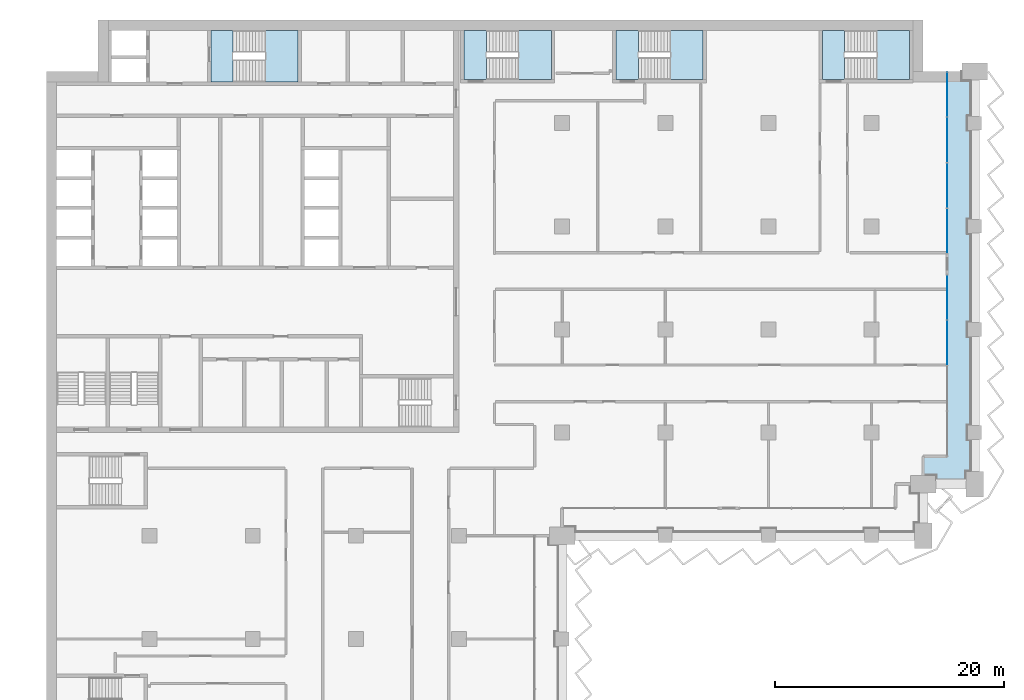
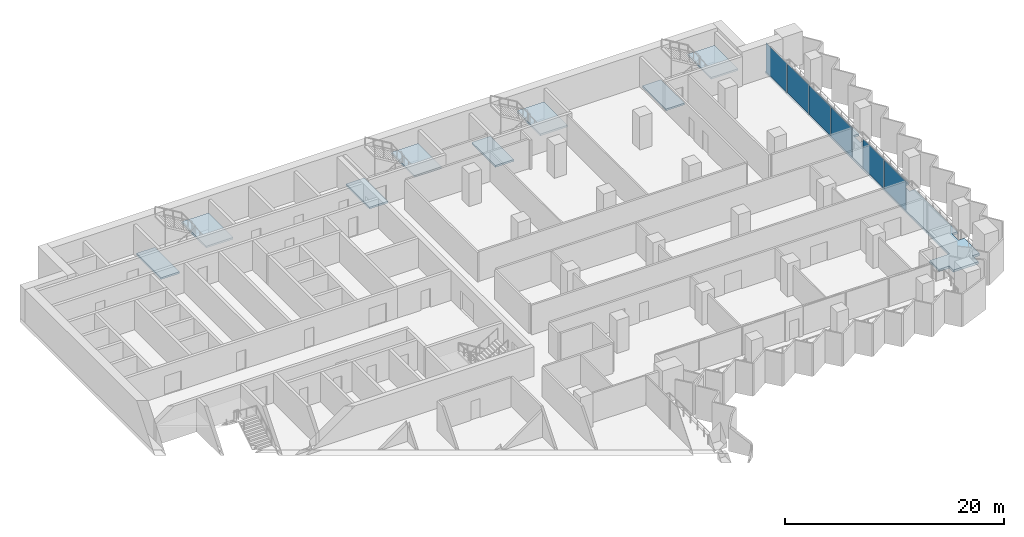
# One storey, part 8 of 23: 9 slabs, 6 plates, 6 elements without a shape of their own.
"""IFC4 building model written with IfcOpenShell, lengths in metres."""

import ifcopenshell
import ifcopenshell.guid

model = None  # the IFC model being written
_history = None  # IfcOwnerHistory: only IFC2X3 demands one
_inside = {}  # id of a spatial element -> (the spatial element, [elements in it])
_under = {}  # id of a project, library or spatial element -> (it, [spatial elements below it])
_declared = {}  # id of a project -> (the project, [libraries it declares])
_typed = {}  # id of a type object -> (the type object, [elements of that type])
_made_of = {}  # id of a material, layer set ... -> (it, [elements and type objects made of it])


def new_model(schema):
    """Start an empty IFC model of exactly this schema.

    Asked for "IFC4X3", IfcOpenShell would pick the latest addendum, in which some entities
    have other attributes; the version numbers below select the first issue.
    IFC2X3 requires an IfcOwnerHistory on every rooted entity: one is made here for all.
    """
    global model, _history
    if schema == "IFC4X3":
        model = ifcopenshell.file(schema_version=(4, 3, 0, 0))
    else:
        model = ifcopenshell.file(schema=schema)
    _inside.clear()
    _under.clear()
    _declared.clear()
    _typed.clear()
    _made_of.clear()
    _history = None
    if model.schema == "IFC2X3":
        org = make("IfcOrganization", Name="unknown")
        user = make(
            "IfcPersonAndOrganization",
            ThePerson=make("IfcPerson", FamilyName="unknown"),
            TheOrganization=org,
        )
        app = make(
            "IfcApplication",
            ApplicationDeveloper=org,
            Version="unknown",
            ApplicationFullName="unknown",
            ApplicationIdentifier="unknown",
        )
        _history = make(
            "IfcOwnerHistory",
            OwningUser=user,
            OwningApplication=app,
            ChangeAction="ADDED",
            CreationDate=0,
        )
    return model


def make(cls, **values):
    """One entity of the class cls with the attributes given. An attribute that is None is left unset."""
    return model.create_entity(
        cls, **{name: value for name, value in values.items() if value is not None}
    )


def rooted(cls, **values):
    """An entity with a GlobalId (a new one), such as an element, a storey or a relation."""
    return make(cls, GlobalId=ifcopenshell.guid.new(), OwnerHistory=_history, **values)


def si_unit(unit_type, name, prefix=None):
    """IfcSIUnit, for example si_unit("LENGTHUNIT", "METRE", prefix="MILLI")."""
    return make("IfcSIUnit", UnitType=unit_type, Prefix=prefix, Name=name)


def assignment(units):
    """IfcUnitAssignment: the units of a project."""
    return None if units is None else make("IfcUnitAssignment", Units=units)


def point(xyz):
    """IfcCartesianPoint."""
    return None if xyz is None else make("IfcCartesianPoint", Coordinates=xyz)


def direction(xyz):
    """IfcDirection."""
    return None if xyz is None else make("IfcDirection", DirectionRatios=xyz)


def frame(location, z_axis=None, x_axis=None):
    """IfcAxis2Placement3D, a coordinate frame: its origin and axes. An axis left out is left unset."""
    return make(
        "IfcAxis2Placement3D",
        Location=point(location),
        Axis=direction(z_axis),
        RefDirection=direction(x_axis),
    )


def frame_2d(location, x_axis=None):
    """IfcAxis2Placement2D, a coordinate frame in the plane: its origin and x axis."""
    return make(
        "IfcAxis2Placement2D", Location=point(location), RefDirection=direction(x_axis)
    )


def origin():
    """The frame at (0, 0, 0) with its axes left unset."""
    return frame((0.0, 0.0, 0.0))


def origin_2d():
    """The frame at (0, 0) in the plane with its x axis left unset."""
    return frame_2d((0.0, 0.0))


def place(relative_to, where):
    """IfcLocalPlacement: puts the frame where relative to a parent placement (None: the world)."""
    return make(
        "IfcLocalPlacement", PlacementRelTo=relative_to, RelativePlacement=where
    )


def context(
    kind, dimensions, precision=None, world=None, true_north=None, identifier=None
):
    """IfcGeometricRepresentationContext, for example the 3D "Model" context."""
    return make(
        "IfcGeometricRepresentationContext",
        ContextIdentifier=identifier,
        ContextType=kind,
        CoordinateSpaceDimension=dimensions,
        Precision=precision,
        WorldCoordinateSystem=world,
        TrueNorth=true_north,
    )


def subcontext(parent, identifier, kind, view, scale=None):
    """IfcGeometricRepresentationSubContext, for example "Body" below "Model"."""
    return make(
        "IfcGeometricRepresentationSubContext",
        ContextIdentifier=identifier,
        ContextType=kind,
        ParentContext=parent,
        TargetScale=scale,
        TargetView=view,
    )


def project(units=None, contexts=None):
    """IfcProject with its units and contexts."""
    return rooted(
        "IfcProject",
        Name="project",
        RepresentationContexts=contexts,
        UnitsInContext=assignment(units),
    )


def spatial(cls, under=None, at=None, **own):
    """A site, building, storey or space (cls), placed at a placement, below another one or the project."""
    s = rooted(cls, ObjectPlacement=at, **own)
    if under is not None:
        _under.setdefault(under.id(), (under, []))[1].append(s)
    return s


def polyline(points):
    """IfcPolyline through the points."""
    return make("IfcPolyline", Points=[point(p) for p in points])


def profile(cls, at=None, kind="AREA", **sizes):
    """A parametric profile (cls). Its sizes go by their IFC names, for example OverallWidth=200.0."""
    return make(cls, ProfileType=kind, Position=at, **sizes)


def rectangle(**sizes):
    """IfcRectangleProfileDef."""
    return profile("IfcRectangleProfileDef", **sizes)


def outline(outer, holes=None, kind="AREA"):
    """IfcArbitraryClosedProfileDef: a profile drawn as a closed curve; with holes, ...WithVoids."""
    if holes is None:
        return make("IfcArbitraryClosedProfileDef", ProfileType=kind, OuterCurve=outer)
    return make(
        "IfcArbitraryProfileDefWithVoids",
        ProfileType=kind,
        OuterCurve=outer,
        InnerCurves=holes,
    )


def extrude(swept, where, along, depth):
    """IfcExtrudedAreaSolid: the profile swept, set in the frame where, extruded along a direction by depth."""
    return make(
        "IfcExtrudedAreaSolid",
        SweptArea=swept,
        Position=where,
        ExtrudedDirection=direction(along),
        Depth=depth,
    )


def shape(context_of_items, identifier, shape_type, items):
    """IfcShapeRepresentation: the items that make up one representation, for example the "Body"."""
    return make(
        "IfcShapeRepresentation",
        ContextOfItems=context_of_items,
        RepresentationIdentifier=identifier,
        RepresentationType=shape_type,
        Items=items,
    )


def material(Name=None, Category=None):
    """IfcMaterial."""
    return make("IfcMaterial", Name=Name, Category=Category)


def layer(
    of_material, thickness, ventilated=None, Name=None, Category=None, Priority=None
):
    """IfcMaterialLayer: one layer of a wall or slab, of a material (None: an air gap)."""
    return make(
        "IfcMaterialLayer",
        Material=of_material,
        LayerThickness=thickness,
        IsVentilated=ventilated,
        Name=Name,
        Category=Category,
        Priority=Priority,
    )


def layer_set(layers, Name=None):
    """IfcMaterialLayerSet."""
    return make("IfcMaterialLayerSet", MaterialLayers=layers, LayerSetName=Name)


def made_of(thing, what):
    """Note that an element or type object is made of a material, layer set ...; save() writes the relation."""
    if what is not None:
        _made_of.setdefault(what.id(), (what, []))[1].append(thing)
    return thing


def type_object(cls, material=None, **own):
    """A type object (cls), such as IfcWallType, which elements share."""
    return made_of(rooted(cls, **own), material)


def element(
    cls,
    number,
    at=None,
    inside=None,
    cuts=None,
    type_object=None,
    material=None,
    context=None,
    identifier="Body",
    shape_type=None,
    held_by="IfcProductDefinitionShape",
    body=None,
    shapes=None,
    **own,
):
    """One element of the class cls, such as IfcWall. Its Tag is "e" and its number.

    at: its placement. inside: the storey or other place that contains it. cuts: it is an
    opening in that element (IfcRelVoidsElement). A single representation is given by context,
    identifier, shape_type and body (its items); several are given by shapes. held_by: the class
    of the entity that holds the representations. save() writes the other relations.
    """
    e = rooted(cls, Tag="e%d" % number, ObjectPlacement=at, **own)
    if body is not None:
        shapes = [shape(context, identifier, shape_type, body)]
    if shapes is not None:
        e.Representation = make(held_by, Representations=shapes)
    if inside is not None:
        _inside.setdefault(inside.id(), (inside, []))[1].append(e)
    if cuts is not None:
        rooted(
            "IfcRelVoidsElement", RelatingBuildingElement=cuts, RelatedOpeningElement=e
        )
    if type_object is not None:
        _typed.setdefault(type_object.id(), (type_object, []))[1].append(e)
    return made_of(e, material)


def aggregate(whole, parts):
    """IfcRelAggregates: a whole, such as a stair, and the parts it consists of."""
    return rooted("IfcRelAggregates", RelatingObject=whole, RelatedObjects=parts)


def save(model, path):
    """Write the relations noted so far, then the file.

    IfcRelAggregates (storeys below a building ...), IfcRelContainedInSpatialStructure (elements
    in a storey), IfcRelDefinesByType, IfcRelAssociatesMaterial and IfcRelDeclares: one each for
    every whole, place, type object, material and project.
    """
    for whole, parts in _under.values():
        aggregate(whole, parts)
    for where, things in _inside.values():
        rooted(
            "IfcRelContainedInSpatialStructure",
            RelatedElements=things,
            RelatingStructure=where,
        )
    for kind, things in _typed.values():
        rooted("IfcRelDefinesByType", RelatedObjects=things, RelatingType=kind)
    for what, things in _made_of.values():
        rooted("IfcRelAssociatesMaterial", RelatedObjects=things, RelatingMaterial=what)
    for by, libraries in _declared.values():
        rooted("IfcRelDeclares", RelatingContext=by, RelatedDefinitions=libraries)
    model.write(path)


model = new_model("IFC4")

# Units and contexts
model_context = context("Model", 3, precision=1e-05, world=origin(), true_north=direction((0.0, 1.0)))
body_context = subcontext(model_context, "Body", "Model", "MODEL_VIEW")
ifc_project = project(units=[si_unit("LENGTHUNIT", "METRE"), si_unit("AREAUNIT", "SQUARE_METRE"), si_unit("VOLUMEUNIT", "CUBIC_METRE"), si_unit("PLANEANGLEUNIT", "RADIAN"), si_unit("MASSUNIT", "GRAM", prefix="KILO")], contexts=[model_context])

# Site, building, storey
site_placement = place(None, origin())
site = spatial("IfcSite", under=ifc_project, at=site_placement, CompositionType="ELEMENT")
building_placement = place(site_placement, origin())
building = spatial("IfcBuilding", under=site, at=building_placement, Name="Hunhe Ridgeline Campus", CompositionType="ELEMENT")
storey_placement = place(building_placement, frame((0.0, 0.0, 103.300048828125)))
storey = spatial("IfcBuildingStorey", under=building, at=storey_placement, Name="L25", CompositionType="ELEMENT", Elevation=103.300048828125)

# Curtain wall, plates
ifc_material_1 = material(Name="Aluminium 6063", Category="aluminium")
curtain_wall_type = type_object("IfcCurtainWallType", Name="Curtain wall CW-1", PredefinedType="NOTDEFINED", material=ifc_material_1)
curtain_wall_1_placement = place(storey_placement, origin())
curtain_wall_1 = element("IfcCurtainWall", 1, at=curtain_wall_1_placement, inside=storey, type_object=curtain_wall_type, Name="Curtain wall 14", PredefinedType="NOTDEFINED")
ifc_material_2 = material(Name="Low-e laminated glass", Category="glass")
ifc_layer_1 = layer(ifc_material_2, 0.028076171875)
ifc_layer_set_1 = layer_set([ifc_layer_1], Name="Curtain wall glass panel 28 low-e laminated")
plate_type = type_object("IfcPlateType", Name="Curtain wall glass panel 28 low-e laminated", PredefinedType="CURTAIN_PANEL", material=ifc_layer_set_1)
plate_1_placement = place(storey_placement, frame((78.59912109375, 70.838134765625, 0.0), z_axis=(0.0, 0.0, 1.0), x_axis=(0.0, 1.0, 0.0)))
plate_1 = element("IfcPlate", 2, at=plate_1_placement, type_object=plate_type, Name="CW-1 panel 3", PredefinedType="CURTAIN_PANEL", context=body_context, shape_type="SweptSolid", body=[
    extrude(rectangle(XDim=3.914794921875, YDim=0.028076171875, at=origin_2d()), origin(), (0.0, 0.0, 1.0), 3.239990234375),
])
plate_2_placement = place(storey_placement, frame((78.59912109375, 74.798095703125, 0.0), z_axis=(0.0, 0.0, 1.0), x_axis=(0.0, 1.0, 0.0)))
plate_2 = element("IfcPlate", 3, at=plate_2_placement, type_object=plate_type, Name="CW-1 panel 4", PredefinedType="CURTAIN_PANEL", context=body_context, shape_type="SweptSolid", body=[
    extrude(rectangle(XDim=3.884765625, YDim=0.028076171875, at=origin_2d()), origin(), (0.0, 0.0, 1.0), 3.239990234375),
])
aggregate(curtain_wall_1, [plate_1, plate_2])

curtain_wall_2_placement = place(storey_placement, origin())
curtain_wall_2 = element("IfcCurtainWall", 4, at=curtain_wall_2_placement, inside=storey, type_object=curtain_wall_type, Name="Curtain wall 15", PredefinedType="NOTDEFINED")
plate_3_placement = place(storey_placement, frame((78.59912109375, 80.60302734375, 0.0), z_axis=(0.0, 0.0, 1.0), x_axis=(0.0, 1.0, 0.0)))
plate_3 = element("IfcPlate", 5, at=plate_3_placement, type_object=plate_type, Name="CW-1 panel 1", PredefinedType="CURTAIN_PANEL", context=body_context, shape_type="SweptSolid", body=[
    extrude(rectangle(XDim=3.884765625, YDim=0.028076171875, at=origin_2d()), origin(), (0.0, 0.0, 1.0), 3.239990234375),
])
plate_4_placement = place(storey_placement, frame((78.59912109375, 84.562744140625, 0.0), z_axis=(0.0, 0.0, 1.0), x_axis=(0.0, 1.0, 0.0)))
plate_4 = element("IfcPlate", 6, at=plate_4_placement, type_object=plate_type, Name="CW-1 panel 2", PredefinedType="CURTAIN_PANEL", context=body_context, shape_type="SweptSolid", body=[
    extrude(rectangle(XDim=3.914794921875, YDim=0.028076171875, at=origin_2d()), origin(), (0.0, 0.0, 1.0), 3.239990234375),
])
plate_5_placement = place(storey_placement, frame((78.59912109375, 88.53759765625, 0.0), z_axis=(0.0, 0.0, 1.0), x_axis=(0.0, 1.0, 0.0)))
plate_5 = element("IfcPlate", 7, at=plate_5_placement, type_object=plate_type, Name="CW-1 panel 3", PredefinedType="CURTAIN_PANEL", context=body_context, shape_type="SweptSolid", body=[
    extrude(rectangle(XDim=3.914794921875, YDim=0.028076171875, at=origin_2d()), origin(), (0.0, 0.0, 1.0), 3.239990234375),
])
plate_6_placement = place(storey_placement, frame((78.59912109375, 92.49755859375, 0.0), z_axis=(0.0, 0.0, 1.0), x_axis=(0.0, 1.0, 0.0)))
plate_6 = element("IfcPlate", 8, at=plate_6_placement, type_object=plate_type, Name="CW-1 panel 4", PredefinedType="CURTAIN_PANEL", context=body_context, shape_type="SweptSolid", body=[
    extrude(rectangle(XDim=3.884765625, YDim=0.028076171875, at=origin_2d()), origin(), (0.0, 0.0, 1.0), 3.239990234375),
])
aggregate(curtain_wall_2, [plate_3, plate_4, plate_5, plate_6])

# Slab
ifc_material_3 = material(Name="Concrete C40", Category="concrete")
ifc_layer_2 = layer(ifc_material_3, 0.25)
ifc_layer_set_2 = layer_set([ifc_layer_2], Name="Loggia slab 250 Concrete C40")
slab_type_1 = type_object("IfcSlabType", Name="Loggia slab 250 Concrete C40", PredefinedType="FLOOR", material=ifc_layer_set_2)
slab_1_placement = place(storey_placement, frame((0.0, 0.0, -0.25)))
element("IfcSlab", 9, at=slab_1_placement, inside=storey, type_object=slab_type_1, Name="Loggia slab 3", PredefinedType="FLOOR", context=body_context, shape_type="SweptSolid", body=[
    extrude(outline(polyline([(76.5, 59.25), (77.60009765625, 59.25), (77.60009765625, 58.5), (80.25, 58.5), (80.25, 59.60009765625), (81.0, 59.60009765625), (81.0, 62.39990234375), (80.39990234375, 62.39990234375), (80.39990234375, 63.60009765625), (81.0, 63.60009765625), (81.0, 71.39990234375), (80.39990234375, 71.39990234375), (80.39990234375, 72.60009765625), (81.0, 72.60009765625), (81.0, 80.39990234375), (80.39990234375, 80.39990234375), (80.39990234375, 81.60009765625), (81.0, 81.60009765625), (81.0, 89.39990234375), (80.39990234375, 89.39990234375), (80.39990234375, 90.60009765625), (81.0, 90.60009765625), (81.0, 93.75), (79.89990234375, 93.75), (79.89990234375, 94.5), (78.60009765625, 94.5), (78.60009765625, 60.89990234375), (76.5, 60.89990234375), (76.5, 59.25)])), origin(), (0.0, 0.0, 1.0), 0.25),
])

# Stair, slab
stair_type = type_object("IfcStairType", Name="Reinforced concrete dog-leg stair 1950 Concrete C40", PredefinedType="HALF_TURN_STAIR", material=ifc_material_3)
stair_1_placement = place(storey_placement, origin())
stair_1 = element("IfcStair", 10, at=stair_1_placement, inside=storey, type_object=stair_type, Name="L25 S1", PredefinedType="HALF_TURN_STAIR")
ifc_layer_3 = layer(ifc_material_3, 0.199951171875)
ifc_layer_set_3 = layer_set([ifc_layer_3], Name="Reinforced concrete stair landing 200 Concrete C40")
slab_type_2 = type_object("IfcSlabType", Name="Reinforced concrete stair landing 200 Concrete C40", PredefinedType="LANDING", material=ifc_layer_set_3)
slab_2_placement = place(storey_placement, frame((0.0, 0.0, 1.64990234375)))
slab_2 = element("IfcSlab", 11, at=slab_2_placement, type_object=slab_type_2, Name="ST1 landing 1", PredefinedType="LANDING", context=body_context, shape_type="SweptSolid", body=[
    extrude(outline(polyline([(19.10009765625, 93.60009765625), (21.949951171875, 93.60009765625), (21.949951171875, 98.10009765625), (19.10009765625, 98.10009765625), (19.10009765625, 93.60009765625)])), origin(), (0.0, 0.0, 1.0), 0.199951171875),
])
aggregate(stair_1, [slab_2])

# Slab
slab_3_placement = place(storey_placement, frame((0.0, 0.0, -0.199951171875)))
element("IfcSlab", 12, at=slab_3_placement, inside=storey, type_object=slab_type_2, Name="L25 stair S1 floor landing", PredefinedType="LANDING", context=body_context, shape_type="SweptSolid", body=[
    extrude(outline(polyline([(14.35009765625, 93.60009765625), (16.300048828125, 93.60009765625), (16.300048828125, 98.10009765625), (14.35009765625, 98.10009765625), (14.35009765625, 93.60009765625)])), origin(), (0.0, 0.0, 1.0), 0.199951171875),
])

# Stair, slab
stair_2_placement = place(storey_placement, origin())
stair_2 = element("IfcStair", 13, at=stair_2_placement, inside=storey, type_object=stair_type, Name="L25 E1", PredefinedType="HALF_TURN_STAIR")
slab_4_placement = place(storey_placement, frame((0.0, 0.0, 1.64990234375)))
slab_4 = element("IfcSlab", 14, at=slab_4_placement, type_object=slab_type_2, Name="ST5 landing 1", PredefinedType="LANDING", context=body_context, shape_type="SweptSolid", body=[
    extrude(outline(polyline([(41.199951171875, 93.800048828125), (44.050048828125, 93.800048828125), (44.050048828125, 98.10009765625), (41.199951171875, 98.10009765625), (41.199951171875, 93.800048828125)])), origin(), (0.0, 0.0, 1.0), 0.199951171875),
])
aggregate(stair_2, [slab_4])

# Slab
slab_5_placement = place(storey_placement, frame((0.0, 0.0, -0.199951171875)))
element("IfcSlab", 15, at=slab_5_placement, inside=storey, type_object=slab_type_2, Name="L25 stair E1 floor landing", PredefinedType="LANDING", context=body_context, shape_type="SweptSolid", body=[
    extrude(outline(polyline([(36.449951171875, 93.800048828125), (38.39990234375, 93.800048828125), (38.39990234375, 98.10009765625), (36.449951171875, 98.10009765625), (36.449951171875, 93.800048828125)])), origin(), (0.0, 0.0, 1.0), 0.199951171875),
])

# Stair, slab
stair_3_placement = place(storey_placement, origin())
stair_3 = element("IfcStair", 16, at=stair_3_placement, inside=storey, type_object=stair_type, Name="L25 E2", PredefinedType="HALF_TURN_STAIR")
slab_6_placement = place(storey_placement, frame((0.0, 0.0, 1.64990234375)))
slab_6 = element("IfcSlab", 17, at=slab_6_placement, type_object=slab_type_2, Name="ST6 landing 1", PredefinedType="LANDING", context=body_context, shape_type="SweptSolid", body=[
    extrude(outline(polyline([(54.449951171875, 93.800048828125), (57.300048828125, 93.800048828125), (57.300048828125, 98.10009765625), (54.449951171875, 98.10009765625), (54.449951171875, 93.800048828125)])), origin(), (0.0, 0.0, 1.0), 0.199951171875),
])
aggregate(stair_3, [slab_6])

# Slab
slab_7_placement = place(storey_placement, frame((0.0, 0.0, -0.199951171875)))
element("IfcSlab", 18, at=slab_7_placement, inside=storey, type_object=slab_type_2, Name="L25 stair E2 floor landing", PredefinedType="LANDING", context=body_context, shape_type="SweptSolid", body=[
    extrude(outline(polyline([(49.699951171875, 93.800048828125), (51.64990234375, 93.800048828125), (51.64990234375, 98.10009765625), (49.699951171875, 98.10009765625), (49.699951171875, 93.800048828125)])), origin(), (0.0, 0.0, 1.0), 0.199951171875),
])

# Stair, slab
stair_4_placement = place(storey_placement, origin())
stair_4 = element("IfcStair", 19, at=stair_4_placement, inside=storey, type_object=stair_type, Name="L25 E3", PredefinedType="HALF_TURN_STAIR")
slab_8_placement = place(storey_placement, frame((0.0, 0.0, 1.64990234375)))
slab_8 = element("IfcSlab", 20, at=slab_8_placement, type_object=slab_type_2, Name="ST7 landing 1", PredefinedType="LANDING", context=body_context, shape_type="SweptSolid", body=[
    extrude(outline(polyline([(72.449951171875, 93.800048828125), (75.300048828125, 93.800048828125), (75.300048828125, 98.10009765625), (72.449951171875, 98.10009765625), (72.449951171875, 93.800048828125)])), origin(), (0.0, 0.0, 1.0), 0.199951171875),
])
aggregate(stair_4, [slab_8])

# Slab
slab_9_placement = place(storey_placement, frame((0.0, 0.0, -0.199951171875)))
element("IfcSlab", 21, at=slab_9_placement, inside=storey, type_object=slab_type_2, Name="L25 stair E3 floor landing", PredefinedType="LANDING", context=body_context, shape_type="SweptSolid", body=[
    extrude(outline(polyline([(67.699951171875, 93.800048828125), (69.64990234375, 93.800048828125), (69.64990234375, 98.10009765625), (67.699951171875, 98.10009765625), (67.699951171875, 93.800048828125)])), origin(), (0.0, 0.0, 1.0), 0.199951171875),
])

save(model, "model.ifc")
